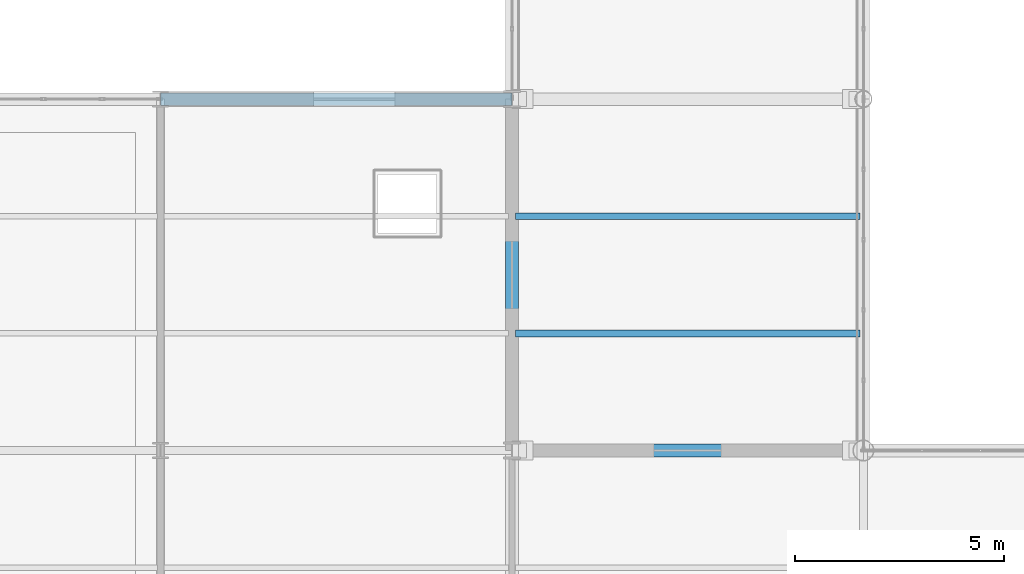
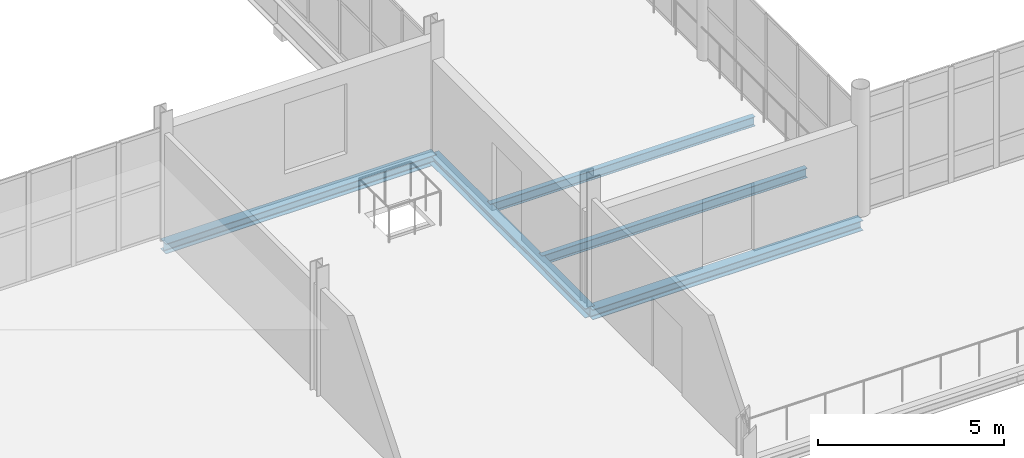
# One storey, part 45 of 163: 5 beams.
"""IFC4 building model written with IfcOpenShell, lengths in metres."""

from ifc_helpers import new_model, si_unit, direction, frame, origin, origin_2d, place, context, subcontext, project, spatial, i_section, extrude, material, material_profile, profile_set, type_object, element, save


model = new_model("IFC4")

# Units and contexts
model_context = context("Model", 3, precision=1e-05, world=origin(), true_north=direction((0.0, 1.0)))
body_context = subcontext(model_context, "Body", "Model", "MODEL_VIEW")
ifc_project = project(units=[si_unit("LENGTHUNIT", "METRE"), si_unit("AREAUNIT", "SQUARE_METRE"), si_unit("VOLUMEUNIT", "CUBIC_METRE"), si_unit("PLANEANGLEUNIT", "RADIAN"), si_unit("MASSUNIT", "GRAM", prefix="KILO")], contexts=[model_context])

# Site, building, storey
site_placement = place(None, origin())
site = spatial("IfcSite", under=ifc_project, at=site_placement, CompositionType="ELEMENT")
building_placement = place(site_placement, origin())
building = spatial("IfcBuilding", under=site, at=building_placement, Name="Qalvenar Corner Mobility Hub", CompositionType="ELEMENT")
storey_placement = place(building_placement, frame((0.0, 0.0, 4.800048828125)))
storey = spatial("IfcBuildingStorey", under=building, at=storey_placement, Name="L01", CompositionType="ELEMENT", Elevation=4.800048828125)

# Beams
ifc_material = material(Name="Steel S355", Category="steel")
ifc_material_profile_1 = material_profile(ifc_material, i_section(OverallWidth=0.1650390625, OverallDepth=0.31005859375, WebThickness=0.005859375, FlangeThickness=0.009765625, FilletRadius=0.011962890625, at=origin_2d()), Name="W310x38.7")
ifc_profile_set_1 = profile_set([ifc_material_profile_1], Name="Steel S355")
beam_type_1 = type_object("IfcBeamType", Name="BM-JST310", PredefinedType="JOIST", material=ifc_profile_set_1)
for number, where, z_axis, x_axis, name in (
    (1, (50.47802734375, 36.39990234375, -0.344970703125), (1.0, 0.0, 0.0), (0.0, 1.0, 0.0), "Composite Floor Joist J-1533"),
    (2, (50.47802734375, 39.199951171875, -0.344970703125), (1.0, 0.0, 0.0), (0.0, 1.0, 0.0), "Composite Floor Joist J-1534"),
):
    element("IfcBeam", number, at=place(storey_placement, frame(where, z_axis=z_axis, x_axis=x_axis)), inside=storey, type_object=beam_type_1, Name=name, PredefinedType="JOIST", context=body_context, shape_type="SweptSolid", body=[
        extrude(i_section(OverallWidth=0.1650390625, OverallDepth=0.31005859375, WebThickness=0.005859375, FlangeThickness=0.009765625, FilletRadius=0.011962890625, at=origin_2d()), origin(), (0.0, 0.0, 1.0), 8.243896484375),
    ])
ifc_material_profile_2 = material_profile(ifc_material, i_section(OverallWidth=0.300048828125, OverallDepth=0.31005859375, WebThickness=0.009033203125, FlangeThickness=0.015380859375, FilletRadius=0.027099609375, at=origin_2d()), Name="HEA320")
ifc_profile_set_2 = profile_set([ifc_material_profile_2], Name="Steel S355")
beam_type_2 = type_object("IfcBeamType", Name="BM-SPN320", PredefinedType="SPANDREL", material=ifc_profile_set_2)
beam_1_placement = place(storey_placement, frame((50.39990234375, 33.60009765625, -0.344970703125), z_axis=(0.0, 1.0, 0.0), x_axis=(-1.0, 0.0, 0.0)))
element("IfcBeam", 3, at=beam_1_placement, inside=storey, type_object=beam_type_2, Name="Primary Steel Girder GY-0885", PredefinedType="SPANDREL", context=body_context, shape_type="SweptSolid", body=[
    extrude(i_section(OverallWidth=0.300048828125, OverallDepth=0.31005859375, WebThickness=0.009033203125, FlangeThickness=0.015380859375, FilletRadius=0.027099609375, at=origin_2d()), origin(), (0.0, 0.0, 1.0), 8.39990234375),
])
ifc_material_profile_3 = material_profile(ifc_material, i_section(OverallWidth=0.300048828125, OverallDepth=0.330078125, WebThickness=0.009521484375, FlangeThickness=0.0166015625, FilletRadius=0.027099609375, at=origin_2d()), Name="HEA340")
ifc_profile_set_3 = profile_set([ifc_material_profile_3], Name="Steel S355")
beam_type_3 = type_object("IfcBeamType", Name="BM-SPN340", PredefinedType="SPANDREL", material=ifc_profile_set_3)
beam_2_placement = place(storey_placement, frame((42.0, 42.0, -0.344970703125), z_axis=(1.0, 0.0, 0.0), x_axis=(0.0, 1.0, 0.0)))
element("IfcBeam", 4, at=beam_2_placement, inside=storey, type_object=beam_type_3, Name="Primary Steel Girder GX-0850", PredefinedType="SPANDREL", context=body_context, shape_type="SweptSolid", body=[
    extrude(i_section(OverallWidth=0.300048828125, OverallDepth=0.330078125, WebThickness=0.009521484375, FlangeThickness=0.0166015625, FilletRadius=0.027099609375, at=origin_2d()), origin(), (0.0, 0.0, 1.0), 8.39990234375),
])
beam_3_placement = place(storey_placement, frame((50.39990234375, 33.60009765625, -0.35498046875), z_axis=(1.0, 0.0, 0.0), x_axis=(0.0, 1.0, 0.0)))
element("IfcBeam", 5, at=beam_3_placement, inside=storey, type_object=beam_type_3, Name="Primary Steel Girder GX-0950", PredefinedType="SPANDREL", context=body_context, shape_type="SweptSolid", body=[
    extrude(i_section(OverallWidth=0.300048828125, OverallDepth=0.330078125, WebThickness=0.009521484375, FlangeThickness=0.0166015625, FilletRadius=0.027099609375, at=origin_2d()), origin(), (0.0, 0.0, 1.0), 8.400146484375),
])

save(model, "model.ifc")
